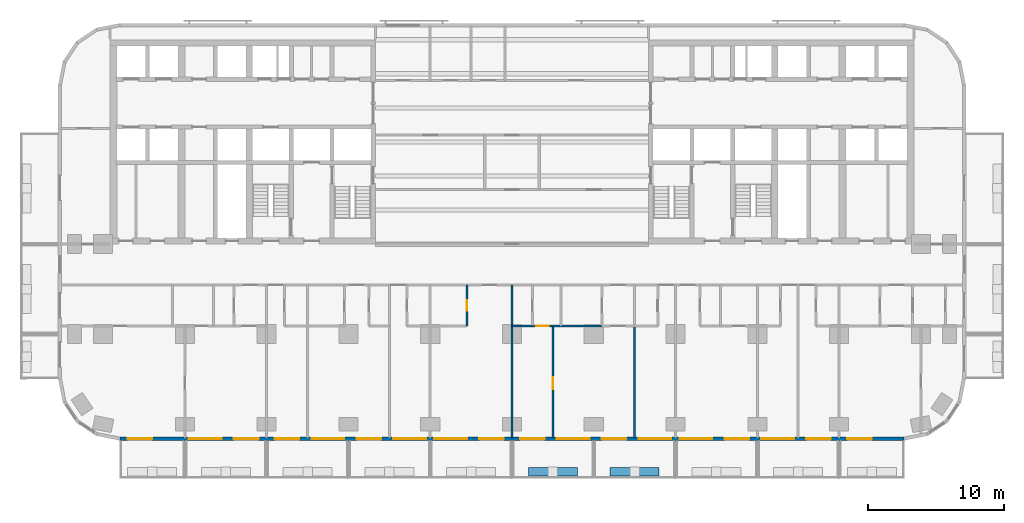
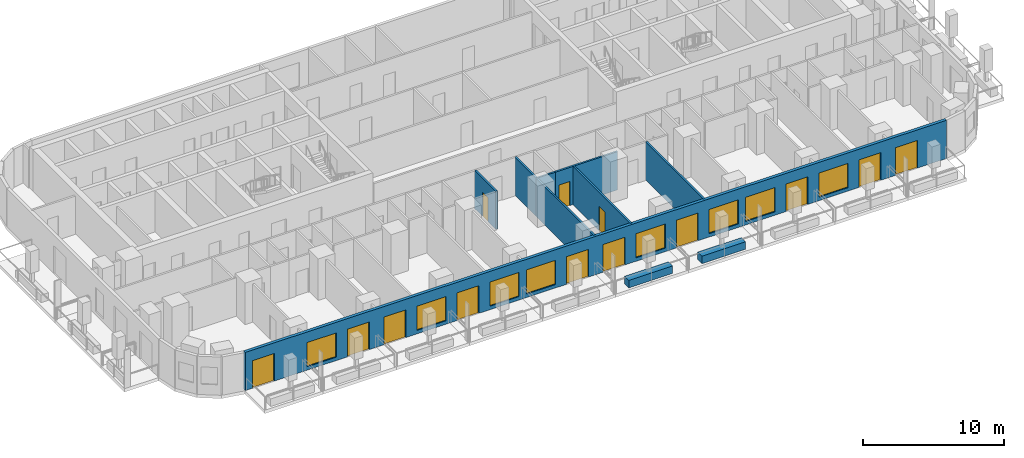
# One storey, part 5 of 14: 13 doors, 10 walls, 8 windows, 21 openings.
"""IFC4 building model written with IfcOpenShell, lengths in metres."""

from ifc_helpers import new_model, si_unit, direction, frame, frame_2d, origin, place, context, subcontext, project, spatial, rectangle, extrude, material, layer, layer_set, type_object, element, fill, save


model = new_model("IFC4")

# Units and contexts
model_context = context("Model", 3, precision=1e-05, world=origin(), true_north=direction((0.0, 1.0)))
body_context = subcontext(model_context, "Body", "Model", "MODEL_VIEW")
ifc_project = project(units=[si_unit("LENGTHUNIT", "METRE"), si_unit("AREAUNIT", "SQUARE_METRE"), si_unit("VOLUMEUNIT", "CUBIC_METRE"), si_unit("PLANEANGLEUNIT", "RADIAN"), si_unit("MASSUNIT", "GRAM", prefix="KILO")], contexts=[model_context])

# Site, building, storey
site_placement = place(None, origin())
site = spatial("IfcSite", under=ifc_project, at=site_placement, CompositionType="ELEMENT")
building_placement = place(site_placement, origin())
building = spatial("IfcBuilding", under=site, at=building_placement, Name="Torana Hotel and Residences", CompositionType="ELEMENT")
storey_placement = place(building_placement, frame((0.0, 0.0, 74.39990234375)))
storey = spatial("IfcBuildingStorey", under=building, at=storey_placement, Name="L18", CompositionType="ELEMENT", Elevation=74.39990234375)

# Wall, openings, doors, windows
ifc_material_1 = material(Name="Black aluminium composite panel", Category="aluminium")
ifc_layer_1 = layer(ifc_material_1, 0.00390625, Name="Cladding", Category="cladding")
ifc_material_2 = material(Name="Ventilated air cavity")
ifc_layer_2 = layer(ifc_material_2, 0.0400390625, Name="Ventilated cavity", Category="cavity")
ifc_material_3 = material(Name="Mineral wool insulation")
ifc_layer_3 = layer(ifc_material_3, 0.090087890625, Name="Insulation", Category="insulation")
ifc_material_4 = material(Name="Steel S280GD", Category="steel")
ifc_layer_4 = layer(ifc_material_4, 0.092041015625, Name="Steel stud frame", Category="structure")
ifc_material_5 = material(Name="Fire rated plasterboard")
ifc_layer_5 = layer(ifc_material_5, 0.011962890625, Name="Inner board", Category="finish")
ifc_layer_6 = layer(ifc_material_5, 0.011962890625, Name="Second board", Category="finish")
ifc_layer_set_1 = layer_set([ifc_layer_1, ifc_layer_2, ifc_layer_3, ifc_layer_4, ifc_layer_5, ifc_layer_6], Name="EW1 EXTERNAL WALL BLACK METAL CLAD 250")
wall_type_1 = type_object("IfcWallType", Name="EW1 EXTERNAL WALL BLACK METAL CLAD 250", PredefinedType="SOLIDWALL", material=ifc_layer_set_1)
wall_1_placement = place(storey_placement, frame((-28.775390625, -29.27490234375, 0.0), z_axis=(0.0, 0.0, 1.0), x_axis=(1.0, 0.0, 0.0)))
wall_1 = element("IfcWall", 1, at=wall_1_placement, inside=storey, type_object=wall_type_1, Name="External wall L18 e0.14", PredefinedType="SOLIDWALL", context=body_context, shape_type="SweptSolid", body=[
    extrude(rectangle(XDim=57.55078125, YDim=0.25, at=frame_2d((28.775390625, 0.0))), origin(), (0.0, 0.0, 1.0), 3.320068359375),
])
opening_1_placement = place(wall_1_placement, frame((0.575439453125, 0.0, 0.0)))
opening_1 = element("IfcOpeningElement", 2, at=opening_1_placement, cuts=wall_1, Name="Opening L18-E01", PredefinedType="OPENING", context=body_context, shape_type="SweptSolid", body=[
    extrude(rectangle(XDim=1.800048828125, YDim=2.39990234375, at=frame_2d((0.89990234375, 1.199951171875))), frame((0.0, 0.135009765625, 0.0), z_axis=(0.0, -1.0, 0.0), x_axis=(1.0, 0.0, 0.0)), (0.0, 0.0, 1.0), 0.27001953125),
])
opening_2_placement = place(wall_1_placement, frame((5.075439453125, 0.0, 0.300048828125)))
opening_2 = element("IfcOpeningElement", 3, at=opening_2_placement, cuts=wall_1, Name="Opening W1", PredefinedType="OPENING", context=body_context, shape_type="SweptSolid", body=[
    extrude(rectangle(XDim=2.39990234375, YDim=2.10009765625, at=frame_2d((1.199951171875, 1.050048828125))), frame((0.0, 0.135009765625, 0.0), z_axis=(0.0, -1.0, 0.0), x_axis=(1.0, 0.0, 0.0)), (0.0, 0.0, 1.0), 0.27001953125),
])
opening_3_placement = place(wall_1_placement, frame((8.37548828125, 0.0, 0.0)))
opening_3 = element("IfcOpeningElement", 4, at=opening_3_placement, cuts=wall_1, Name="Opening L18-E02", PredefinedType="OPENING", context=body_context, shape_type="SweptSolid", body=[
    extrude(rectangle(XDim=1.800048828125, YDim=2.39990234375, at=frame_2d((0.89990234375, 1.199951171875))), frame((0.0, 0.135009765625, 0.0), z_axis=(0.0, -1.0, 0.0), x_axis=(1.0, 0.0, 0.0)), (0.0, 0.0, 1.0), 0.27001953125),
])
opening_4_placement = place(wall_1_placement, frame((11.37548828125, 0.0, 0.0)))
opening_4 = element("IfcOpeningElement", 5, at=opening_4_placement, cuts=wall_1, Name="Opening L18-E03", PredefinedType="OPENING", context=body_context, shape_type="SweptSolid", body=[
    extrude(rectangle(XDim=1.800048828125, YDim=2.39990234375, at=frame_2d((0.89990234375, 1.199951171875))), frame((0.0, 0.135009765625, 0.0), z_axis=(0.0, -1.0, 0.0), x_axis=(1.0, 0.0, 0.0)), (0.0, 0.0, 1.0), 0.27001953125),
])
opening_5_placement = place(wall_1_placement, frame((14.075439453125, 0.0, 0.300048828125)))
opening_5 = element("IfcOpeningElement", 6, at=opening_5_placement, cuts=wall_1, Name="Opening W1", PredefinedType="OPENING", context=body_context, shape_type="SweptSolid", body=[
    extrude(rectangle(XDim=2.39990234375, YDim=2.10009765625, at=frame_2d((1.199951171875, 1.050048828125))), frame((0.0, 0.135009765625, 0.0), z_axis=(0.0, -1.0, 0.0), x_axis=(1.0, 0.0, 0.0)), (0.0, 0.0, 1.0), 0.27001953125),
])
opening_6_placement = place(wall_1_placement, frame((17.37548828125, 0.0, 0.0)))
opening_6 = element("IfcOpeningElement", 7, at=opening_6_placement, cuts=wall_1, Name="Opening L18-E04", PredefinedType="OPENING", context=body_context, shape_type="SweptSolid", body=[
    extrude(rectangle(XDim=1.800048828125, YDim=2.39990234375, at=frame_2d((0.89990234375, 1.199951171875))), frame((0.0, 0.135009765625, 0.0), z_axis=(0.0, -1.0, 0.0), x_axis=(1.0, 0.0, 0.0)), (0.0, 0.0, 1.0), 0.27001953125),
])
opening_7_placement = place(wall_1_placement, frame((20.075439453125, 0.0, 0.300048828125)))
opening_7 = element("IfcOpeningElement", 8, at=opening_7_placement, cuts=wall_1, Name="Opening W1", PredefinedType="OPENING", context=body_context, shape_type="SweptSolid", body=[
    extrude(rectangle(XDim=2.39990234375, YDim=2.10009765625, at=frame_2d((1.199951171875, 1.050048828125))), frame((0.0, 0.135009765625, 0.0), z_axis=(0.0, -1.0, 0.0), x_axis=(1.0, 0.0, 0.0)), (0.0, 0.0, 1.0), 0.27001953125),
])
opening_8_placement = place(wall_1_placement, frame((23.075439453125, 0.0, 0.300048828125)))
opening_8 = element("IfcOpeningElement", 9, at=opening_8_placement, cuts=wall_1, Name="Opening W1", PredefinedType="OPENING", context=body_context, shape_type="SweptSolid", body=[
    extrude(rectangle(XDim=2.39990234375, YDim=2.10009765625, at=frame_2d((1.199951171875, 1.050048828125))), frame((0.0, 0.135009765625, 0.0), z_axis=(0.0, -1.0, 0.0), x_axis=(1.0, 0.0, 0.0)), (0.0, 0.0, 1.0), 0.27001953125),
])
opening_9_placement = place(wall_1_placement, frame((26.37548828125, 0.0, 0.0)))
opening_9 = element("IfcOpeningElement", 10, at=opening_9_placement, cuts=wall_1, Name="Opening L18-E05", PredefinedType="OPENING", context=body_context, shape_type="SweptSolid", body=[
    extrude(rectangle(XDim=1.800048828125, YDim=2.39990234375, at=frame_2d((0.89990234375, 1.199951171875))), frame((0.0, 0.135009765625, 0.0), z_axis=(0.0, -1.0, 0.0), x_axis=(1.0, 0.0, 0.0)), (0.0, 0.0, 1.0), 0.27001953125),
])
opening_10_placement = place(wall_1_placement, frame((29.37548828125, 0.0, 0.0)))
opening_10 = element("IfcOpeningElement", 11, at=opening_10_placement, cuts=wall_1, Name="Opening L18-E06", PredefinedType="OPENING", context=body_context, shape_type="SweptSolid", body=[
    extrude(rectangle(XDim=1.800048828125, YDim=2.39990234375, at=frame_2d((0.89990234375, 1.199951171875))), frame((0.0, 0.135009765625, 0.0), z_axis=(0.0, -1.0, 0.0), x_axis=(1.0, 0.0, 0.0)), (0.0, 0.0, 1.0), 0.27001953125),
])
opening_11_placement = place(wall_1_placement, frame((32.075439453125, 0.0, 0.300048828125)))
opening_11 = element("IfcOpeningElement", 12, at=opening_11_placement, cuts=wall_1, Name="Opening W1", PredefinedType="OPENING", context=body_context, shape_type="SweptSolid", body=[
    extrude(rectangle(XDim=2.39990234375, YDim=2.10009765625, at=frame_2d((1.199951171875, 1.050048828125))), frame((0.0, 0.135009765625, 0.0), z_axis=(0.0, -1.0, 0.0), x_axis=(1.0, 0.0, 0.0)), (0.0, 0.0, 1.0), 0.27001953125),
])
opening_12_placement = place(wall_1_placement, frame((35.37548828125, 0.0, 0.0)))
opening_12 = element("IfcOpeningElement", 13, at=opening_12_placement, cuts=wall_1, Name="Opening L18-E07", PredefinedType="OPENING", context=body_context, shape_type="SweptSolid", body=[
    extrude(rectangle(XDim=1.800048828125, YDim=2.39990234375, at=frame_2d((0.89990234375, 1.199951171875))), frame((0.0, 0.135009765625, 0.0), z_axis=(0.0, -1.0, 0.0), x_axis=(1.0, 0.0, 0.0)), (0.0, 0.0, 1.0), 0.27001953125),
])
opening_13_placement = place(wall_1_placement, frame((38.075439453125, 0.0, 0.300048828125)))
opening_13 = element("IfcOpeningElement", 14, at=opening_13_placement, cuts=wall_1, Name="Opening W1", PredefinedType="OPENING", context=body_context, shape_type="SweptSolid", body=[
    extrude(rectangle(XDim=2.39990234375, YDim=2.10009765625, at=frame_2d((1.199951171875, 1.050048828125))), frame((0.0, 0.135009765625, 0.0), z_axis=(0.0, -1.0, 0.0), x_axis=(1.0, 0.0, 0.0)), (0.0, 0.0, 1.0), 0.27001953125),
])
opening_14_placement = place(wall_1_placement, frame((41.075439453125, 0.0, 0.300048828125)))
opening_14 = element("IfcOpeningElement", 15, at=opening_14_placement, cuts=wall_1, Name="Opening W1", PredefinedType="OPENING", context=body_context, shape_type="SweptSolid", body=[
    extrude(rectangle(XDim=2.39990234375, YDim=2.10009765625, at=frame_2d((1.199951171875, 1.050048828125))), frame((0.0, 0.135009765625, 0.0), z_axis=(0.0, -1.0, 0.0), x_axis=(1.0, 0.0, 0.0)), (0.0, 0.0, 1.0), 0.27001953125),
])
opening_15_placement = place(wall_1_placement, frame((44.37548828125, 0.0, 0.0)))
opening_15 = element("IfcOpeningElement", 16, at=opening_15_placement, cuts=wall_1, Name="Opening L18-E08", PredefinedType="OPENING", context=body_context, shape_type="SweptSolid", body=[
    extrude(rectangle(XDim=1.800048828125, YDim=2.39990234375, at=frame_2d((0.89990234375, 1.199951171875))), frame((0.0, 0.135009765625, 0.0), z_axis=(0.0, -1.0, 0.0), x_axis=(1.0, 0.0, 0.0)), (0.0, 0.0, 1.0), 0.27001953125),
])
opening_16_placement = place(wall_1_placement, frame((47.075439453125, 0.0, 0.300048828125)))
opening_16 = element("IfcOpeningElement", 17, at=opening_16_placement, cuts=wall_1, Name="Opening W1", PredefinedType="OPENING", context=body_context, shape_type="SweptSolid", body=[
    extrude(rectangle(XDim=2.39990234375, YDim=2.10009765625, at=frame_2d((1.199951171875, 1.050048828125))), frame((0.0, 0.135009765625, 0.0), z_axis=(0.0, -1.0, 0.0), x_axis=(1.0, 0.0, 0.0)), (0.0, 0.0, 1.0), 0.27001953125),
])
opening_17_placement = place(wall_1_placement, frame((50.37548828125, 0.0, 0.0)))
opening_17 = element("IfcOpeningElement", 18, at=opening_17_placement, cuts=wall_1, Name="Opening L18-E09", PredefinedType="OPENING", context=body_context, shape_type="SweptSolid", body=[
    extrude(rectangle(XDim=1.800048828125, YDim=2.39990234375, at=frame_2d((0.89990234375, 1.199951171875))), frame((0.0, 0.135009765625, 0.0), z_axis=(0.0, -1.0, 0.0), x_axis=(1.0, 0.0, 0.0)), (0.0, 0.0, 1.0), 0.27001953125),
])
opening_18_placement = place(wall_1_placement, frame((53.37548828125, 0.0, 0.0)))
opening_18 = element("IfcOpeningElement", 19, at=opening_18_placement, cuts=wall_1, Name="Opening L18-E10", PredefinedType="OPENING", context=body_context, shape_type="SweptSolid", body=[
    extrude(rectangle(XDim=1.800048828125, YDim=2.39990234375, at=frame_2d((0.89990234375, 1.199951171875))), frame((0.0, 0.135009765625, 0.0), z_axis=(0.0, -1.0, 0.0), x_axis=(1.0, 0.0, 0.0)), (0.0, 0.0, 1.0), 0.27001953125),
])
ifc_material_6 = material(Name="Dark glass in black aluminium frame", Category="aluminium")
door_type_1 = type_object("IfcDoorType", Name="DB1 BALCONY DOOR 1800x2400", OperationType="DOUBLE_DOOR_SINGLE_SWING", PredefinedType="DOOR", material=ifc_material_6)
door_1_placement = place(opening_1_placement, origin())
door_1 = element("IfcDoor", 20, at=door_1_placement, inside=storey, type_object=door_type_1, Name="Balcony door L18", OperationType="DOUBLE_DOOR_SINGLE_SWING", OverallHeight=2.39990234375, OverallWidth=1.800048828125, PredefinedType="DOOR", context=body_context, shape_type="SweptSolid", body=[
    extrude(rectangle(XDim=1.800048828125, YDim=2.39990234375, at=frame_2d((0.89990234375, 1.199951171875))), frame((0.0, 0.02490234375, 0.0), z_axis=(0.0, -1.0, 0.0), x_axis=(1.0, 0.0, 0.0)), (0.0, 0.0, 1.0), 0.050048828125),
])
fill(opening_1, door_1)
door_2_placement = place(opening_3_placement, frame((0.89990234375, 0.0, 0.0), z_axis=(0.0, 0.0, 1.0), x_axis=(-1.0, 0.0, 0.0)))
door_2 = element("IfcDoor", 21, at=door_2_placement, inside=storey, type_object=door_type_1, Name="Balcony door L18", OperationType="DOUBLE_DOOR_SINGLE_SWING", OverallHeight=2.39990234375, OverallWidth=1.800048828125, PredefinedType="DOOR", context=body_context, shape_type="SweptSolid", body=[
    extrude(rectangle(XDim=1.800048828125, YDim=2.39990234375, at=frame_2d((0.0, 1.199951171875))), frame((0.0, -0.02490234375, 0.0), z_axis=(0.0, 1.0, 0.0), x_axis=(-1.0, 0.0, 0.0)), (0.0, 0.0, 1.0), 0.050048828125),
])
fill(opening_3, door_2)
door_3_placement = place(opening_4_placement, frame((0.89990234375, 0.0, 0.0), z_axis=(0.0, 0.0, 1.0), x_axis=(-1.0, 0.0, 0.0)))
door_3 = element("IfcDoor", 22, at=door_3_placement, inside=storey, type_object=door_type_1, Name="Balcony door L18", OperationType="DOUBLE_DOOR_SINGLE_SWING", OverallHeight=2.39990234375, OverallWidth=1.800048828125, PredefinedType="DOOR", context=body_context, shape_type="SweptSolid", body=[
    extrude(rectangle(XDim=1.800048828125, YDim=2.39990234375, at=frame_2d((0.0, 1.199951171875))), frame((0.0, -0.02490234375, 0.0), z_axis=(0.0, 1.0, 0.0), x_axis=(-1.0, 0.0, 0.0)), (0.0, 0.0, 1.0), 0.050048828125),
])
fill(opening_4, door_3)
door_4_placement = place(opening_6_placement, frame((0.89990234375, 0.0, 0.0), z_axis=(0.0, 0.0, 1.0), x_axis=(-1.0, 0.0, 0.0)))
door_4 = element("IfcDoor", 23, at=door_4_placement, inside=storey, type_object=door_type_1, Name="Balcony door L18", OperationType="DOUBLE_DOOR_SINGLE_SWING", OverallHeight=2.39990234375, OverallWidth=1.800048828125, PredefinedType="DOOR", context=body_context, shape_type="SweptSolid", body=[
    extrude(rectangle(XDim=1.800048828125, YDim=2.39990234375, at=frame_2d((0.0, 1.199951171875))), frame((0.0, -0.02490234375, 0.0), z_axis=(0.0, 1.0, 0.0), x_axis=(-1.0, 0.0, 0.0)), (0.0, 0.0, 1.0), 0.050048828125),
])
fill(opening_6, door_4)
door_5_placement = place(opening_9_placement, frame((0.89990234375, 0.0, 0.0), z_axis=(0.0, 0.0, 1.0), x_axis=(-1.0, 0.0, 0.0)))
door_5 = element("IfcDoor", 24, at=door_5_placement, inside=storey, type_object=door_type_1, Name="Balcony door L18", OperationType="DOUBLE_DOOR_SINGLE_SWING", OverallHeight=2.39990234375, OverallWidth=1.800048828125, PredefinedType="DOOR", context=body_context, shape_type="SweptSolid", body=[
    extrude(rectangle(XDim=1.800048828125, YDim=2.39990234375, at=frame_2d((0.0, 1.199951171875))), frame((0.0, -0.02490234375, 0.0), z_axis=(0.0, 1.0, 0.0), x_axis=(-1.0, 0.0, 0.0)), (0.0, 0.0, 1.0), 0.050048828125),
])
fill(opening_9, door_5)
door_6_placement = place(opening_10_placement, frame((0.89990234375, 0.0, 0.0), z_axis=(0.0, 0.0, 1.0), x_axis=(-1.0, 0.0, 0.0)))
door_6 = element("IfcDoor", 25, at=door_6_placement, inside=storey, type_object=door_type_1, Name="Balcony door L18", OperationType="DOUBLE_DOOR_SINGLE_SWING", OverallHeight=2.39990234375, OverallWidth=1.800048828125, PredefinedType="DOOR", context=body_context, shape_type="SweptSolid", body=[
    extrude(rectangle(XDim=1.800048828125, YDim=2.39990234375, at=frame_2d((0.0, 1.199951171875))), frame((0.0, -0.02490234375, 0.0), z_axis=(0.0, 1.0, 0.0), x_axis=(-1.0, 0.0, 0.0)), (0.0, 0.0, 1.0), 0.050048828125),
])
fill(opening_10, door_6)
door_7_placement = place(opening_12_placement, frame((0.89990234375, 0.0, 0.0), z_axis=(0.0, 0.0, 1.0), x_axis=(-1.0, 0.0, 0.0)))
door_7 = element("IfcDoor", 26, at=door_7_placement, inside=storey, type_object=door_type_1, Name="Balcony door L18", OperationType="DOUBLE_DOOR_SINGLE_SWING", OverallHeight=2.39990234375, OverallWidth=1.800048828125, PredefinedType="DOOR", context=body_context, shape_type="SweptSolid", body=[
    extrude(rectangle(XDim=1.800048828125, YDim=2.39990234375, at=frame_2d((0.0, 1.199951171875))), frame((0.0, -0.02490234375, 0.0), z_axis=(0.0, 1.0, 0.0), x_axis=(-1.0, 0.0, 0.0)), (0.0, 0.0, 1.0), 0.050048828125),
])
fill(opening_12, door_7)
door_8_placement = place(opening_15_placement, frame((0.89990234375, 0.0, 0.0), z_axis=(0.0, 0.0, 1.0), x_axis=(-1.0, 0.0, 0.0)))
door_8 = element("IfcDoor", 27, at=door_8_placement, inside=storey, type_object=door_type_1, Name="Balcony door L18", OperationType="DOUBLE_DOOR_SINGLE_SWING", OverallHeight=2.39990234375, OverallWidth=1.800048828125, PredefinedType="DOOR", context=body_context, shape_type="SweptSolid", body=[
    extrude(rectangle(XDim=1.800048828125, YDim=2.39990234375, at=frame_2d((0.0, 1.199951171875))), frame((0.0, -0.02490234375, 0.0), z_axis=(0.0, 1.0, 0.0), x_axis=(-1.0, 0.0, 0.0)), (0.0, 0.0, 1.0), 0.050048828125),
])
fill(opening_15, door_8)
door_9_placement = place(opening_17_placement, frame((0.89990234375, 0.0, 0.0), z_axis=(0.0, 0.0, 1.0), x_axis=(-1.0, 0.0, 0.0)))
door_9 = element("IfcDoor", 28, at=door_9_placement, inside=storey, type_object=door_type_1, Name="Balcony door L18", OperationType="DOUBLE_DOOR_SINGLE_SWING", OverallHeight=2.39990234375, OverallWidth=1.800048828125, PredefinedType="DOOR", context=body_context, shape_type="SweptSolid", body=[
    extrude(rectangle(XDim=1.800048828125, YDim=2.39990234375, at=frame_2d((0.0, 1.199951171875))), frame((0.0, -0.02490234375, 0.0), z_axis=(0.0, 1.0, 0.0), x_axis=(-1.0, 0.0, 0.0)), (0.0, 0.0, 1.0), 0.050048828125),
])
fill(opening_17, door_9)
door_10_placement = place(opening_18_placement, frame((0.89990234375, 0.0, 0.0), z_axis=(0.0, 0.0, 1.0), x_axis=(-1.0, 0.0, 0.0)))
door_10 = element("IfcDoor", 29, at=door_10_placement, inside=storey, type_object=door_type_1, Name="Balcony door L18", OperationType="DOUBLE_DOOR_SINGLE_SWING", OverallHeight=2.39990234375, OverallWidth=1.800048828125, PredefinedType="DOOR", context=body_context, shape_type="SweptSolid", body=[
    extrude(rectangle(XDim=1.800048828125, YDim=2.39990234375, at=frame_2d((0.0, 1.199951171875))), frame((0.0, -0.02490234375, 0.0), z_axis=(0.0, 1.0, 0.0), x_axis=(-1.0, 0.0, 0.0)), (0.0, 0.0, 1.0), 0.050048828125),
])
fill(opening_18, door_10)
ifc_material_7 = material(Name="Dark glass in black aluminium frame", Category="aluminium")
window_type = type_object("IfcWindowType", Name="W1 HOTEL ROOM WINDOW 2400x2100", PartitioningType="SINGLE_PANEL", PredefinedType="WINDOW", material=ifc_material_7)
window_1_placement = place(opening_2_placement, origin())
window_1 = element("IfcWindow", 30, at=window_1_placement, inside=storey, type_object=window_type, Name="Window L18", OverallHeight=2.10009765625, OverallWidth=2.39990234375, PartitioningType="SINGLE_PANEL", PredefinedType="WINDOW", context=body_context, shape_type="SweptSolid", body=[
    extrude(rectangle(XDim=2.39990234375, YDim=2.10009765625, at=frame_2d((1.199951171875, 1.050048828125))), frame((0.0, 0.030029296875, 0.0), z_axis=(0.0, -1.0, 0.0), x_axis=(1.0, 0.0, 0.0)), (0.0, 0.0, 1.0), 0.06005859375),
])
fill(opening_2, window_1)
window_2_placement = place(opening_5_placement, origin())
window_2 = element("IfcWindow", 31, at=window_2_placement, inside=storey, type_object=window_type, Name="Window L18", OverallHeight=2.10009765625, OverallWidth=2.39990234375, PartitioningType="SINGLE_PANEL", PredefinedType="WINDOW", context=body_context, shape_type="SweptSolid", body=[
    extrude(rectangle(XDim=2.39990234375, YDim=2.10009765625, at=frame_2d((1.199951171875, 1.050048828125))), frame((0.0, 0.030029296875, 0.0), z_axis=(0.0, -1.0, 0.0), x_axis=(1.0, 0.0, 0.0)), (0.0, 0.0, 1.0), 0.06005859375),
])
fill(opening_5, window_2)
window_3_placement = place(opening_7_placement, origin())
window_3 = element("IfcWindow", 32, at=window_3_placement, inside=storey, type_object=window_type, Name="Window L18", OverallHeight=2.10009765625, OverallWidth=2.39990234375, PartitioningType="SINGLE_PANEL", PredefinedType="WINDOW", context=body_context, shape_type="SweptSolid", body=[
    extrude(rectangle(XDim=2.39990234375, YDim=2.10009765625, at=frame_2d((1.199951171875, 1.050048828125))), frame((0.0, 0.030029296875, 0.0), z_axis=(0.0, -1.0, 0.0), x_axis=(1.0, 0.0, 0.0)), (0.0, 0.0, 1.0), 0.06005859375),
])
fill(opening_7, window_3)
window_4_placement = place(opening_8_placement, origin())
window_4 = element("IfcWindow", 33, at=window_4_placement, inside=storey, type_object=window_type, Name="Window L18", OverallHeight=2.10009765625, OverallWidth=2.39990234375, PartitioningType="SINGLE_PANEL", PredefinedType="WINDOW", context=body_context, shape_type="SweptSolid", body=[
    extrude(rectangle(XDim=2.39990234375, YDim=2.10009765625, at=frame_2d((1.199951171875, 1.050048828125))), frame((0.0, 0.030029296875, 0.0), z_axis=(0.0, -1.0, 0.0), x_axis=(1.0, 0.0, 0.0)), (0.0, 0.0, 1.0), 0.06005859375),
])
fill(opening_8, window_4)
window_5_placement = place(opening_11_placement, origin())
window_5 = element("IfcWindow", 34, at=window_5_placement, inside=storey, type_object=window_type, Name="Window L18", OverallHeight=2.10009765625, OverallWidth=2.39990234375, PartitioningType="SINGLE_PANEL", PredefinedType="WINDOW", context=body_context, shape_type="SweptSolid", body=[
    extrude(rectangle(XDim=2.39990234375, YDim=2.10009765625, at=frame_2d((1.199951171875, 1.050048828125))), frame((0.0, 0.030029296875, 0.0), z_axis=(0.0, -1.0, 0.0), x_axis=(1.0, 0.0, 0.0)), (0.0, 0.0, 1.0), 0.06005859375),
])
fill(opening_11, window_5)
window_6_placement = place(opening_13_placement, origin())
window_6 = element("IfcWindow", 35, at=window_6_placement, inside=storey, type_object=window_type, Name="Window L18", OverallHeight=2.10009765625, OverallWidth=2.39990234375, PartitioningType="SINGLE_PANEL", PredefinedType="WINDOW", context=body_context, shape_type="SweptSolid", body=[
    extrude(rectangle(XDim=2.39990234375, YDim=2.10009765625, at=frame_2d((1.199951171875, 1.050048828125))), frame((0.0, 0.030029296875, 0.0), z_axis=(0.0, -1.0, 0.0), x_axis=(1.0, 0.0, 0.0)), (0.0, 0.0, 1.0), 0.06005859375),
])
fill(opening_13, window_6)
window_7_placement = place(opening_14_placement, origin())
window_7 = element("IfcWindow", 36, at=window_7_placement, inside=storey, type_object=window_type, Name="Window L18", OverallHeight=2.10009765625, OverallWidth=2.39990234375, PartitioningType="SINGLE_PANEL", PredefinedType="WINDOW", context=body_context, shape_type="SweptSolid", body=[
    extrude(rectangle(XDim=2.39990234375, YDim=2.10009765625, at=frame_2d((1.199951171875, 1.050048828125))), frame((0.0, 0.030029296875, 0.0), z_axis=(0.0, -1.0, 0.0), x_axis=(1.0, 0.0, 0.0)), (0.0, 0.0, 1.0), 0.06005859375),
])
fill(opening_14, window_7)
window_8_placement = place(opening_16_placement, origin())
window_8 = element("IfcWindow", 37, at=window_8_placement, inside=storey, type_object=window_type, Name="Window L18", OverallHeight=2.10009765625, OverallWidth=2.39990234375, PartitioningType="SINGLE_PANEL", PredefinedType="WINDOW", context=body_context, shape_type="SweptSolid", body=[
    extrude(rectangle(XDim=2.39990234375, YDim=2.10009765625, at=frame_2d((1.199951171875, 1.050048828125))), frame((0.0, 0.030029296875, 0.0), z_axis=(0.0, -1.0, 0.0), x_axis=(1.0, 0.0, 0.0)), (0.0, 0.0, 1.0), 0.06005859375),
])
fill(opening_16, window_8)

# Wall
ifc_material_8 = material(Name="Gypsum plasterboard")
ifc_layer_7 = layer(ifc_material_8, 0.012451171875, Name="Plasterboard", Category="finish")
ifc_layer_8 = layer(ifc_material_8, 0.012451171875, Name="Plasterboard", Category="finish")
ifc_layer_9 = layer(ifc_material_4, 0.10009765625, Name="Steel studs with mineral wool", Category="insulation")
ifc_layer_10 = layer(ifc_material_8, 0.012451171875, Name="Plasterboard", Category="finish")
ifc_layer_11 = layer(ifc_material_8, 0.012451171875, Name="Plasterboard", Category="finish")
ifc_layer_set_2 = layer_set([ifc_layer_7, ifc_layer_8, ifc_layer_9, ifc_layer_10, ifc_layer_11], Name="PARTITION 150 PLASTERBOARD")
wall_type_2 = type_object("IfcWallType", Name="PARTITION 150 PLASTERBOARD", PredefinedType="PARTITIONING", material=ifc_layer_set_2)
wall_2_placement = place(storey_placement, frame((9.0, -29.219970703125, 0.0), z_axis=(0.0, 0.0, 1.0), x_axis=(0.0, 1.0, 0.0)))
element("IfcWall", 38, at=wall_2_placement, inside=storey, type_object=wall_type_2, Name="Partition L18", PredefinedType="PARTITIONING", context=body_context, shape_type="SweptSolid", body=[
    extrude(rectangle(XDim=8.219970703125, YDim=0.14990234375, at=frame_2d((4.10986328125, 0.0))), origin(), (0.0, 0.0, 1.0), 3.320068359375),
])

# Wall, opening, door
wall_3_placement = place(storey_placement, frame((3.0, -29.219970703125, 0.0), z_axis=(0.0, 0.0, 1.0), x_axis=(0.0, 1.0, 0.0)))
wall_3 = element("IfcWall", 39, at=wall_3_placement, inside=storey, type_object=wall_type_2, Name="Partition L18", PredefinedType="PARTITIONING", context=body_context, shape_type="SweptSolid", body=[
    extrude(rectangle(XDim=8.219970703125, YDim=0.14990234375, at=frame_2d((4.10986328125, 0.0))), origin(), (0.0, 0.0, 1.0), 3.320068359375),
])
opening_19_placement = place(wall_3_placement, frame((3.570068359375, 0.0, 0.0)))
opening_19 = element("IfcOpeningElement", 40, at=opening_19_placement, cuts=wall_3, Name="Opening L18-68", PredefinedType="OPENING", context=body_context, shape_type="SweptSolid", body=[
    extrude(rectangle(XDim=0.89990234375, YDim=2.10009765625, at=frame_2d((0.449951171875, 1.050048828125))), frame((0.0, 0.0849609375, 0.0), z_axis=(0.0, -1.0, 0.0), x_axis=(1.0, 0.0, 0.0)), (0.0, 0.0, 1.0), 0.169921875),
])
ifc_material_9 = material(Name="Timber door, oiled ash", Category="wood")
door_type_2 = type_object("IfcDoorType", Name="ROOM DOOR D7 900x2100", OperationType="SINGLE_SWING_LEFT", PredefinedType="DOOR", material=ifc_material_9)
door_11_placement = place(opening_19_placement, origin())
door_11 = element("IfcDoor", 41, at=door_11_placement, inside=storey, type_object=door_type_2, Name="Door L18", OperationType="SINGLE_SWING_RIGHT", OverallHeight=2.10009765625, OverallWidth=0.89990234375, PredefinedType="DOOR", context=body_context, shape_type="SweptSolid", body=[
    extrude(rectangle(XDim=0.89990234375, YDim=2.10009765625, at=frame_2d((0.449951171875, 1.050048828125))), frame((0.0, 0.02490234375, 0.0), z_axis=(0.0, -1.0, 0.0), x_axis=(1.0, 0.0, 0.0)), (0.0, 0.0, 1.0), 0.050048828125),
])
fill(opening_19, door_11)

# Wall
wall_4_placement = place(storey_placement, frame((0.0, -29.219970703125, 0.0), z_axis=(0.0, 0.0, 1.0), x_axis=(0.0, 1.0, 0.0)))
element("IfcWall", 42, at=wall_4_placement, inside=storey, type_object=wall_type_2, Name="Partition L18", PredefinedType="PARTITIONING", context=body_context, shape_type="SweptSolid", body=[
    extrude(rectangle(XDim=8.219970703125, YDim=0.14990234375, at=frame_2d((4.10986328125, 0.0))), origin(), (0.0, 0.0, 1.0), 3.320068359375),
])

# Wall, opening, door
wall_5_placement = place(storey_placement, frame((-3.300048828125, -21.0, 0.0), z_axis=(0.0, 0.0, 1.0), x_axis=(0.0, 1.0, 0.0)))
wall_5 = element("IfcWall", 43, at=wall_5_placement, inside=storey, type_object=wall_type_2, Name="Partition L18", PredefinedType="PARTITIONING", context=body_context, shape_type="SweptSolid", body=[
    extrude(rectangle(XDim=3.0, YDim=0.14990234375, at=frame_2d((1.5, 0.0))), origin(), (0.0, 0.0, 1.0), 3.320068359375),
])
opening_20_placement = place(wall_5_placement, frame((1.10009765625, 0.0, 0.0)))
opening_20 = element("IfcOpeningElement", 44, at=opening_20_placement, cuts=wall_5, Name="Opening L18-63", PredefinedType="OPENING", context=body_context, shape_type="SweptSolid", body=[
    extrude(rectangle(XDim=0.800048828125, YDim=2.10009765625, at=frame_2d((0.39990234375, 1.050048828125))), frame((0.0, 0.0849609375, 0.0), z_axis=(0.0, -1.0, 0.0), x_axis=(1.0, 0.0, 0.0)), (0.0, 0.0, 1.0), 0.169921875),
])
ifc_material_10 = material(Name="Timber door, painted", Category="wood")
door_type_3 = type_object("IfcDoorType", Name="BATH DOOR D13 800x2100", OperationType="SINGLE_SWING_LEFT", PredefinedType="DOOR", material=ifc_material_10)
door_12_placement = place(opening_20_placement, origin())
door_12 = element("IfcDoor", 45, at=door_12_placement, inside=storey, type_object=door_type_3, Name="Door L18", OperationType="SINGLE_SWING_RIGHT", OverallHeight=2.10009765625, OverallWidth=0.800048828125, PredefinedType="DOOR", context=body_context, shape_type="SweptSolid", body=[
    extrude(rectangle(XDim=0.800048828125, YDim=2.10009765625, at=frame_2d((0.39990234375, 1.050048828125))), frame((0.0, 0.02490234375, 0.0), z_axis=(0.0, -1.0, 0.0), x_axis=(1.0, 0.0, 0.0)), (0.0, 0.0, 1.0), 0.050048828125),
])
fill(opening_20, door_12)

wall_6_placement = place(storey_placement, frame((1.5, -21.0, 0.0), z_axis=(0.0, 0.0, 1.0), x_axis=(1.0, 0.0, 0.0)))
wall_6 = element("IfcWall", 46, at=wall_6_placement, inside=storey, type_object=wall_type_2, Name="Partition L18", PredefinedType="PARTITIONING", context=body_context, shape_type="SweptSolid", body=[
    extrude(rectangle(XDim=5.10009765625, YDim=0.14990234375, at=frame_2d((2.550048828125, 0.0))), origin(), (0.0, 0.0, 1.0), 3.320068359375),
])
opening_21_placement = place(wall_6_placement, frame((0.280029296875, 0.0, 0.0)))
opening_21 = element("IfcOpeningElement", 47, at=opening_21_placement, cuts=wall_6, Name="Opening L18-65", PredefinedType="OPENING", context=body_context, shape_type="SweptSolid", body=[
    extrude(rectangle(XDim=0.89990234375, YDim=2.10009765625, at=frame_2d((0.449951171875, 1.050048828125))), frame((0.0, 0.0849609375, 0.0), z_axis=(0.0, -1.0, 0.0), x_axis=(1.0, 0.0, 0.0)), (0.0, 0.0, 1.0), 0.169921875),
])
door_13_placement = place(opening_21_placement, origin())
door_13 = element("IfcDoor", 48, at=door_13_placement, inside=storey, type_object=door_type_2, Name="Door L18", OperationType="SINGLE_SWING_RIGHT", OverallHeight=2.10009765625, OverallWidth=0.89990234375, PredefinedType="DOOR", context=body_context, shape_type="SweptSolid", body=[
    extrude(rectangle(XDim=0.89990234375, YDim=2.10009765625, at=frame_2d((0.449951171875, 1.050048828125))), frame((0.0, 0.02490234375, 0.0), z_axis=(0.0, -1.0, 0.0), x_axis=(1.0, 0.0, 0.0)), (0.0, 0.0, 1.0), 0.050048828125),
])
fill(opening_21, door_13)

# Walls
ifc_material_11 = material(Name="Concrete C40/50 precast", Category="concrete")
ifc_layer_12 = layer(ifc_material_11, 0.10009765625, Name="Planter shell", Category="structure")
ifc_material_12 = material(Name="Root resistant membrane")
ifc_layer_13 = layer(ifc_material_12, 0.00390625, Name="Waterproofing membrane", Category="membrane")
ifc_material_13 = material(Name="Drainage board with filter fleece")
ifc_layer_14 = layer(ifc_material_13, 0.02001953125, Name="Drainage board", Category="drainage")
ifc_material_14 = material(Name="Growing medium")
ifc_layer_15 = layer(ifc_material_14, 0.47607421875, Name="Planting substrate", Category="soil")
ifc_layer_set_3 = layer_set([ifc_layer_12, ifc_layer_13, ifc_layer_14, ifc_layer_15], Name="PL1 BALCONY PLANTER 600")
wall_type_3 = type_object("IfcWallType", Name="PL1 BALCONY PLANTER 600", PredefinedType="USERDEFINED", material=ifc_layer_set_3)
for number, where, z_axis, x_axis, name in (
    (49, (4.800048828125, -31.699951171875, 0.0), (0.0, 0.0, 1.0), (-1.0, 0.0, 0.0), "Planter 06"),
    (50, (10.800048828125, -31.699951171875, 0.0), (0.0, 0.0, 1.0), (-1.0, 0.0, 0.0), "Planter 07"),
):
    element("IfcWall", number, at=place(storey_placement, frame(where, z_axis=z_axis, x_axis=x_axis)), inside=storey, type_object=wall_type_3, Name=name, ObjectType="PLANTER", PredefinedType="USERDEFINED", context=body_context, shape_type="SweptSolid", body=[
        extrude(rectangle(XDim=3.60009765625, YDim=0.60009765625, at=frame_2d((1.800048828125, 0.0))), origin(), (0.0, 0.0, 1.0), 0.650146484375),
    ])
ifc_material_15 = material(Name="Ceramic tile on adhesive")
ifc_layer_16 = layer(ifc_material_15, 0.010009765625, Name="Wall tile", Category="finish")
ifc_material_16 = material(Name="Cement render")
ifc_layer_17 = layer(ifc_material_16, 0.010009765625, Name="Render", Category="finish")
ifc_material_17 = material(Name="Concrete blockwork", Category="masonry")
ifc_layer_18 = layer(ifc_material_17, 0.110107421875, Name="Blockwork", Category="structure")
ifc_layer_19 = layer(ifc_material_16, 0.010009765625, Name="Render", Category="finish")
ifc_layer_20 = layer(ifc_material_15, 0.010009765625, Name="Wall tile", Category="finish")
ifc_layer_set_4 = layer_set([ifc_layer_16, ifc_layer_17, ifc_layer_18, ifc_layer_19, ifc_layer_20], Name="WC PARTITION 150")
wall_type_4 = type_object("IfcWallType", Name="WC PARTITION 150", PredefinedType="PLUMBINGWALL", material=ifc_layer_set_4)
wall_7_placement = place(storey_placement, frame((0.0, -21.0, 0.0), z_axis=(0.0, 0.0, 1.0), x_axis=(0.0, 1.0, 0.0)))
element("IfcWall", 51, at=wall_7_placement, inside=storey, type_object=wall_type_4, Name="Partition L18", PredefinedType="PLUMBINGWALL", context=body_context, shape_type="SweptSolid", body=[
    extrude(rectangle(XDim=3.0, YDim=0.14990234375, at=frame_2d((1.5, 0.0))), origin(), (0.0, 0.0, 1.0), 3.320068359375),
])
wall_8_placement = place(storey_placement, frame((0.0, -21.0, 0.0), z_axis=(0.0, 0.0, 1.0), x_axis=(1.0, 0.0, 0.0)))
element("IfcWall", 52, at=wall_8_placement, inside=storey, type_object=wall_type_4, Name="Partition L18", PredefinedType="PLUMBINGWALL", context=body_context, shape_type="SweptSolid", body=[
    extrude(rectangle(XDim=1.5, YDim=0.14990234375, at=frame_2d((0.75, 0.0))), origin(), (0.0, 0.0, 1.0), 3.320068359375),
])

save(model, "model.ifc")
